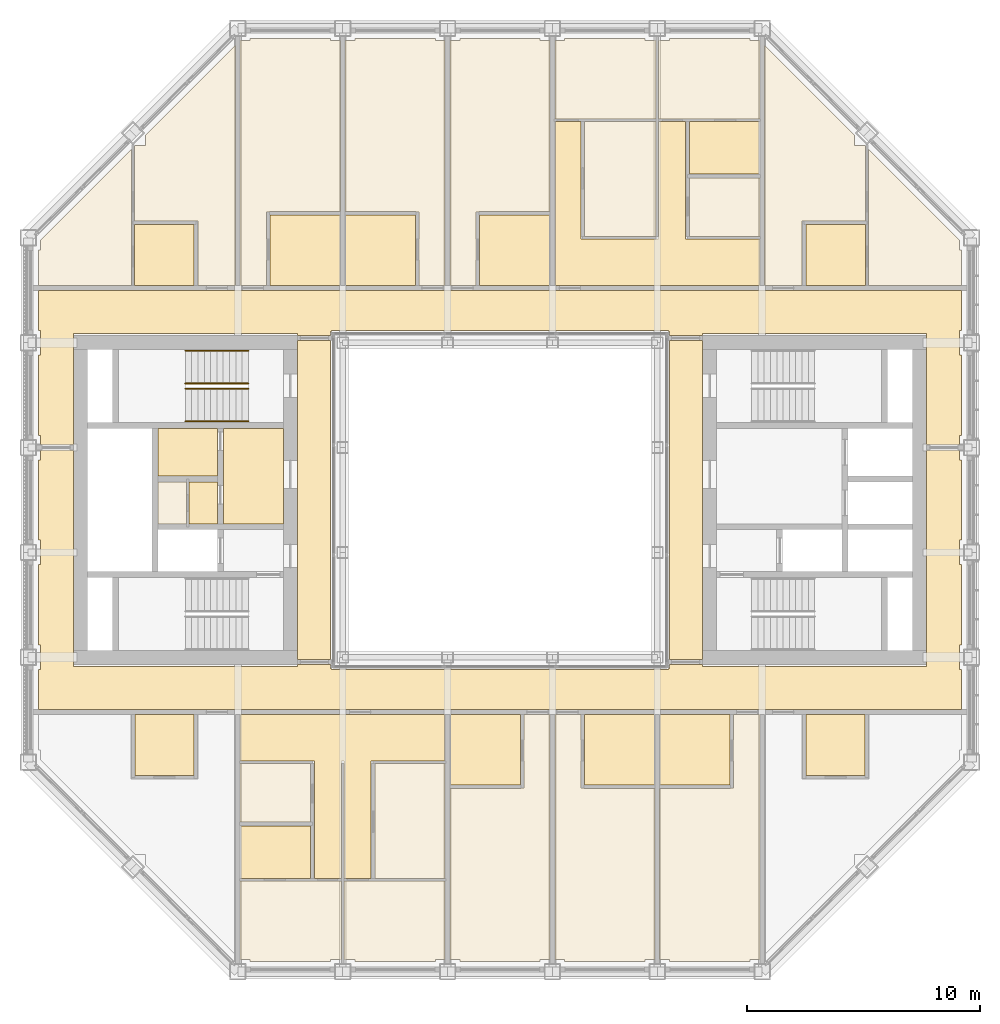
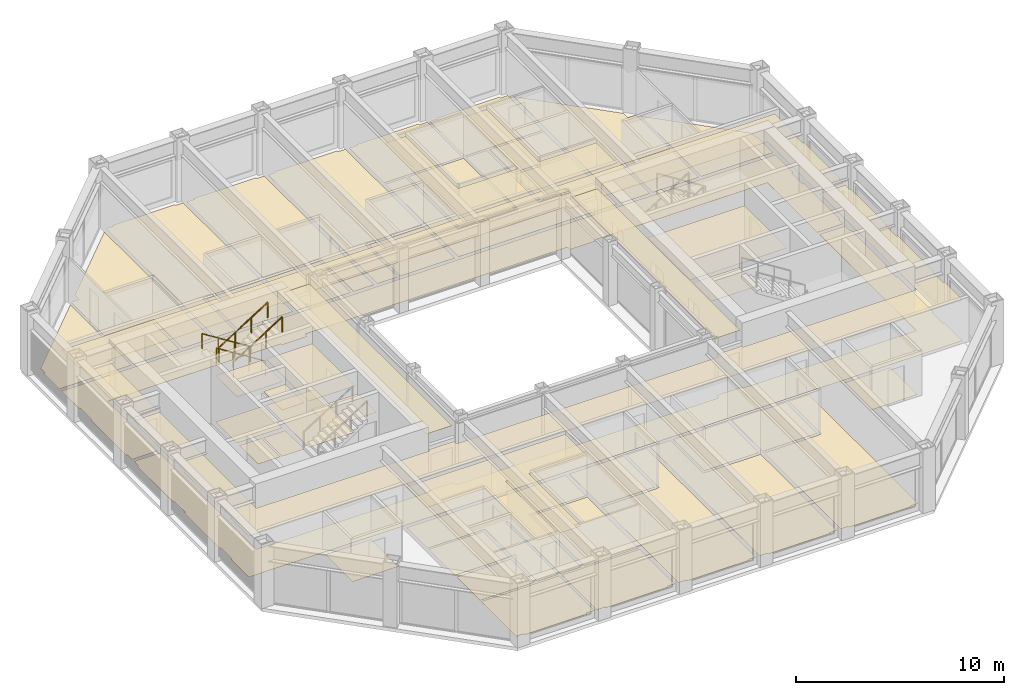
# One storey, part 16 of 18: 6 coverings, 4 railings.
"""IFC4 building model written with IfcOpenShell, lengths in metres."""

from ifc_helpers import new_model, si_unit, direction, frame, origin, origin_2d, place, context, subcontext, project, spatial, line, indexed_curve, circle, outline, extrude, material, layer, layer_set, type_object, element, save


model = new_model("IFC4")

# Units and contexts
model_context = context("Model", 3, precision=1e-05, world=origin(), true_north=direction((0.0, 1.0)))
body_context = subcontext(model_context, "Body", "Model", "MODEL_VIEW")
ifc_project = project(units=[si_unit("LENGTHUNIT", "METRE"), si_unit("AREAUNIT", "SQUARE_METRE"), si_unit("VOLUMEUNIT", "CUBIC_METRE"), si_unit("PLANEANGLEUNIT", "RADIAN"), si_unit("MASSUNIT", "GRAM", prefix="KILO")], contexts=[model_context])

# Site, building, storey
site_placement = place(None, origin())
site = spatial("IfcSite", under=ifc_project, at=site_placement, CompositionType="ELEMENT")
building_placement = place(site_placement, origin())
building = spatial("IfcBuilding", under=site, at=building_placement, Name="Msasa Ring Tower", CompositionType="ELEMENT")
storey_placement = place(building_placement, frame((0.0, 0.0, 230.800048828125)))
storey = spatial("IfcBuildingStorey", under=building, at=storey_placement, Name="L60", CompositionType="ELEMENT", Elevation=230.800048828125)

# Coverings
ifc_material_1 = material(Name="Gypsum plasterboard on a steel suspension grid", Category="steel")
ifc_layer_1 = layer(ifc_material_1, 0.014892578125)
ifc_layer_set_1 = layer_set([ifc_layer_1], Name="C1 SUSPENDED PLASTERBOARD CEILING 15")
covering_type_1 = type_object("IfcCoveringType", Name="C1 SUSPENDED PLASTERBOARD CEILING 15", PredefinedType="CEILING", material=ifc_layer_set_1)
covering_1_placement = place(storey_placement, frame((0.0, 0.0, 2.39990234375)))
element("IfcCovering", 1, at=covering_1_placement, inside=storey, type_object=covering_type_1, Name="Suspended Plasterboard Ceiling 15 circulation L60", PredefinedType="CEILING", context=body_context, shape_type="SweptSolid", body=[
    extrude(outline(indexed_curve([(8.699462890625, -7.150390625), (18.300537109375, -7.150390625), (18.300537109375, 2.1494140625), (19.724609375, 2.1494140625), (19.724609375, 1.724609375), (19.799560546875, 1.724609375), (19.799560546875, -1.724609375), (19.724609375, -1.724609375), (19.724609375, -2.775390625), (19.799560546875, -2.775390625), (19.799560546875, -6.224609375), (19.724609375, -6.224609375), (19.724609375, -7.275390625), (19.799560546875, -7.275390625), (19.799560546875, -8.99951171875), (-19.799560546875, -8.99951171875), (-19.799560546875, -7.275390625), (-19.724609375, -7.275390625), (-19.724609375, -6.224609375), (-19.799560546875, -6.224609375), (-19.799560546875, -2.775390625), (-19.724609375, -2.775390625), (-19.724609375, -1.724609375), (-19.799560546875, -1.724609375), (-19.799560546875, 1.724609375), (-19.724609375, 1.724609375), (-19.724609375, 2.1494140625), (-18.300537109375, 2.1494140625), (-18.300537109375, -7.150390625), (-8.699462890625, -7.150390625), (-8.699462890625, -7.050537109375), (-7.280029296875, -7.050537109375), (-7.280517578125, -7.23046875), (-7.22998046875, -7.23046875), (-7.22998046875, -7.280029296875), (7.22998046875, -7.280029296875), (7.22998046875, -7.23046875), (7.280517578125, -7.23046875), (7.280029296875, -7.050537109375), (8.699462890625, -7.050537109375)], segments=[line(1, 2, 3, 4, 5, 6, 7, 8, 9, 10, 11, 12, 13, 14, 15, 16, 17, 18, 19, 20, 21, 22, 23, 24, 25, 26, 27, 28, 29, 30, 31, 32, 33, 34, 35, 36, 37, 38, 39, 40, 1)], self_intersect=False)), origin(), (0.0, 0.0, 1.0), 0.01513671875),
    extrude(outline(indexed_curve([(19.799560546875, 7.275390625), (19.724609375, 7.275390625), (19.724609375, 6.224609375), (19.799560546875, 6.224609375), (19.799560546875, 2.775390625), (19.724609375, 2.775390625), (19.724609375, 2.3505859375), (18.300537109375, 2.3505859375), (18.300537109375, 7.150390625), (8.699462890625, 7.150390625), (8.699462890625, 7.050537109375), (7.280029296875, 7.050537109375), (7.280517578125, 7.23046875), (7.22998046875, 7.23046875), (7.22998046875, 7.280029296875), (-7.22998046875, 7.280029296875), (-7.22998046875, 7.23046875), (-7.280517578125, 7.23046875), (-7.280029296875, 7.050537109375), (-8.699462890625, 7.050537109375), (-8.699462890625, 7.150390625), (-18.300537109375, 7.150390625), (-18.300537109375, 2.3505859375), (-19.724609375, 2.3505859375), (-19.724609375, 2.775390625), (-19.799560546875, 2.775390625), (-19.799560546875, 6.224609375), (-19.724609375, 6.224609375), (-19.724609375, 7.275390625), (-19.799560546875, 7.275390625), (-19.799560546875, 8.99951171875), (19.799560546875, 8.99951171875)], segments=[line(1, 2, 3, 4, 5, 6, 7, 8, 9, 10, 11, 12, 13, 14, 15, 16, 17, 18, 19, 20, 21, 22, 23, 24, 25, 26, 27, 28, 29, 30, 31, 32, 1)], self_intersect=False)), origin(), (0.0, 0.0, 1.0), 0.01513671875),
    extrude(outline(indexed_curve([(-11.87451171875, -3.074462890625), (-11.87451171875, -1.275390625), (-9.300537109375, -1.275390625), (-9.300537109375, -3.074462890625)], segments=[line(1, 2, 3, 4, 1)], self_intersect=False)), origin(), (0.0, 0.0, 1.0), 0.01513671875),
    extrude(outline(indexed_curve([(-5.530517578125, -16.244384765625), (-6.689453125, -16.244384765625), (-6.689453125, -11.199462890625), (-6.810546875, -11.199462890625), (-6.810546875, -16.244384765625), (-7.969482421875, -16.244384765625), (-7.969482421875, -11.199462890625), (-11.1494140625, -11.199462890625), (-11.1494140625, -9.200439453125), (-2.3505859375, -9.200439453125), (-2.3505859375, -11.199462890625), (-5.530517578125, -11.199462890625)], segments=[line(1, 2, 3, 4, 5, 6, 7, 8, 9, 10, 11, 12, 1)], self_intersect=False)), origin(), (0.0, 0.0, 1.0), 0.01513671875),
    extrude(outline(indexed_curve([(3.469482421875, 16.244384765625), (3.469482421875, 11.199462890625), (6.810546875, 11.199462890625), (6.810546875, 16.244384765625), (7.969482421875, 16.244384765625), (7.969482421875, 11.199462890625), (11.1494140625, 11.199462890625), (11.1494140625, 9.200439453125), (2.3505859375, 9.200439453125), (2.3505859375, 16.244384765625)], segments=[line(1, 2, 3, 4, 5, 6, 7, 8, 9, 10, 1)], self_intersect=False)), origin(), (0.0, 0.0, 1.0), 0.01513671875),
    extrude(outline(indexed_curve([(9.300537109375, -3.074462890625), (9.300537109375, -1.275390625), (11.87451171875, -1.275390625), (11.87451171875, -3.074462890625)], segments=[line(1, 2, 3, 4, 1)], self_intersect=False)), origin(), (0.0, 0.0, 1.0), 0.01513671875),
    extrude(outline(indexed_curve([(9.300537109375, -1.0244140625), (9.300537109375, 3.074462890625), (14.674560546875, 3.074462890625), (14.674560546875, -1.0244140625)], segments=[line(1, 2, 3, 4, 1)], self_intersect=False)), origin(), (0.0, 0.0, 1.0), 0.01513671875),
])
covering_2_placement = place(storey_placement, frame((0.0, 0.0, 3.199951171875)))
element("IfcCovering", 2, at=covering_2_placement, inside=storey, type_object=covering_type_1, Name="Suspended Plasterboard Ceiling 15 public rooms L60", PredefinedType="CEILING", context=body_context, shape_type="SweptSolid", body=[
    extrude(outline(indexed_curve([(-7.280029296875, 6.849609375), (-7.280029296875, -6.849609375), (-8.699462890625, -6.849609375), (-8.699462890625, 6.849609375)], segments=[line(1, 2, 3, 4, 1)], self_intersect=False)), origin(), (0.0, 0.0, 1.0), 0.014892578125),
    extrude(outline(indexed_curve([(8.699462890625, 6.849609375), (8.699462890625, -6.849609375), (7.280029296875, -6.849609375), (7.280029296875, 6.849609375)], segments=[line(1, 2, 3, 4, 1)], self_intersect=False)), origin(), (0.0, 0.0, 1.0), 0.014892578125),
])
ifc_material_2 = material(Name="Mineral fibre ceiling tiles on an exposed steel grid", Category="steel")
ifc_layer_2 = layer(ifc_material_2, 0.02001953125)
ifc_layer_set_2 = layer_set([ifc_layer_2], Name="C3 ACOUSTIC MINERAL FIBRE TILE CEILING 20")
covering_type_2 = type_object("IfcCoveringType", Name="C3 ACOUSTIC MINERAL FIBRE TILE CEILING 20", PredefinedType="CEILING", material=ifc_layer_set_2)
covering_3_placement = place(storey_placement, frame((0.0, 0.0, 2.699951171875)))
element("IfcCovering", 3, at=covering_3_placement, inside=storey, type_object=covering_type_2, Name="Acoustic Mineral Fibre Tile Ceiling 20 L60", PredefinedType="CEILING", context=body_context, shape_type="SweptSolid", body=[
    extrude(outline(indexed_curve([(-12.12548828125, 1.025390625), (-14.674560546875, 1.025390625), (-14.674560546875, 3.074462890625), (-12.12548828125, 3.074462890625)], segments=[line(1, 2, 3, 4, 1)], self_intersect=False)), origin(), (0.0, 0.0, 1.0), 0.02001953125),
    extrude(outline(indexed_curve([(-12.12548828125, -1.0244140625), (-13.344482421875, -1.0244140625), (-13.344482421875, 0.7744140625), (-12.12548828125, 0.7744140625)], segments=[line(1, 2, 3, 4, 1)], self_intersect=False)), origin(), (0.0, 0.0, 1.0), 0.02001953125),
    extrude(outline(indexed_curve([(-9.300537109375, -1.0244140625), (-11.87451171875, -1.0244140625), (-11.87451171875, 3.074462890625), (-9.300537109375, 3.074462890625)], segments=[line(1, 2, 3, 4, 1)], self_intersect=False)), origin(), (0.0, 0.0, 1.0), 0.02001953125),
])
ifc_material_3 = material(Name="Wool-blend carpet on felt underlay", Category="textile")
ifc_layer_3 = layer(ifc_material_3, 0.011962890625)
ifc_layer_set_3 = layer_set([ifc_layer_3], Name="F2 CARPET ON UNDERLAY 12")
covering_type_3 = type_object("IfcCoveringType", Name="F2 CARPET ON UNDERLAY 12", PredefinedType="FLOORING", material=ifc_layer_set_3)
covering_4_placement = place(storey_placement, origin())
element("IfcCovering", 4, at=covering_4_placement, inside=storey, type_object=covering_type_3, Name="Carpet On Underlay 12 L60", PredefinedType="FLOORING", context=body_context, shape_type="SweptSolid", body=[
    extrude(outline(indexed_curve([(8.699462890625, -7.150390625), (18.300537109375, -7.150390625), (18.300537109375, 2.1494140625), (19.724609375, 2.1494140625), (19.724609375, 1.724609375), (19.799560546875, 1.724609375), (19.799560546875, -1.724609375), (19.724609375, -1.724609375), (19.724609375, -2.775390625), (19.799560546875, -2.775390625), (19.799560546875, -6.224609375), (19.724609375, -6.224609375), (19.724609375, -7.275390625), (19.799560546875, -7.275390625), (19.799560546875, -8.99951171875), (-19.799560546875, -8.99951171875), (-19.799560546875, -7.275390625), (-19.724609375, -7.275390625), (-19.724609375, -6.224609375), (-19.799560546875, -6.224609375), (-19.799560546875, -2.775390625), (-19.724609375, -2.775390625), (-19.724609375, -1.724609375), (-19.799560546875, -1.724609375), (-19.799560546875, 1.724609375), (-19.724609375, 1.724609375), (-19.724609375, 2.1494140625), (-18.300537109375, 2.1494140625), (-18.300537109375, -7.150390625), (-8.699462890625, -7.150390625), (-8.699462890625, -7.050537109375), (-7.280029296875, -7.050537109375), (-7.280517578125, -7.23046875), (-7.22998046875, -7.23046875), (-7.22998046875, -7.280029296875), (7.22998046875, -7.280029296875), (7.22998046875, -7.23046875), (7.280517578125, -7.23046875), (7.280029296875, -7.050537109375), (8.699462890625, -7.050537109375)], segments=[line(1, 2, 3, 4, 5, 6, 7, 8, 9, 10, 11, 12, 13, 14, 15, 16, 17, 18, 19, 20, 21, 22, 23, 24, 25, 26, 27, 28, 29, 30, 31, 32, 33, 34, 35, 36, 37, 38, 39, 40, 1)], self_intersect=False)), origin(), (0.0, 0.0, 1.0), 0.011962890625),
    extrude(outline(indexed_curve([(18.300537109375, 2.3505859375), (18.300537109375, 7.150390625), (8.699462890625, 7.150390625), (8.699462890625, 7.050537109375), (7.280029296875, 7.050537109375), (7.280517578125, 7.23046875), (7.22998046875, 7.23046875), (7.22998046875, 7.280029296875), (-7.22998046875, 7.280029296875), (-7.22998046875, 7.23046875), (-7.280517578125, 7.23046875), (-7.280029296875, 7.050537109375), (-8.699462890625, 7.050537109375), (-8.699462890625, 7.150390625), (-18.300537109375, 7.150390625), (-18.300537109375, 2.3505859375), (-19.724609375, 2.3505859375), (-19.724609375, 2.775390625), (-19.799560546875, 2.775390625), (-19.799560546875, 6.224609375), (-19.724609375, 6.224609375), (-19.724609375, 7.275390625), (-19.799560546875, 7.275390625), (-19.799560546875, 8.99951171875), (19.799560546875, 8.99951171875), (19.799560546875, 7.275390625), (19.724609375, 7.275390625), (19.724609375, 6.224609375), (19.799560546875, 6.224609375), (19.799560546875, 2.775390625), (19.724609375, 2.775390625), (19.724609375, 2.3505859375)], segments=[line(1, 2, 3, 4, 5, 6, 7, 8, 9, 10, 11, 12, 13, 14, 15, 16, 17, 18, 19, 20, 21, 22, 23, 24, 25, 26, 27, 28, 29, 30, 31, 32, 1)], self_intersect=False)), origin(), (0.0, 0.0, 1.0), 0.011962890625),
    extrude(outline(indexed_curve([(-19.799560546875, 10.724609375), (-19.724609375, 10.724609375), (-19.724609375, 11.138427734375), (-15.810546875, 15.052490234375), (-15.810546875, 9.200439453125), (-19.799560546875, 9.200439453125)], segments=[line(1, 2, 3, 4, 5, 6, 1)], self_intersect=False)), origin(), (0.0, 0.0, 1.0), 0.011962890625),
    extrude(outline(indexed_curve([(-12.969482421875, 9.200439453125), (-12.969482421875, 11.98046875), (-15.689453125, 11.98046875), (-15.689453125, 15.17333984375), (-15.638427734375, 15.224609375), (-15.224609375, 15.224609375), (-15.224609375, 15.638427734375), (-11.3505859375, 19.512451171875), (-11.3505859375, 9.200439453125)], segments=[line(1, 2, 3, 4, 5, 6, 7, 8, 9, 1)], self_intersect=False)), origin(), (0.0, 0.0, 1.0), 0.011962890625),
    extrude(outline(indexed_curve([(-13.45556640625, -1.0244140625), (-14.674560546875, -1.0244140625), (-14.674560546875, 0.7744140625), (-13.45556640625, 0.7744140625)], segments=[line(1, 2, 3, 4, 1)], self_intersect=False)), origin(), (0.0, 0.0, 1.0), 0.011962890625),
    extrude(outline(indexed_curve([(-6.810546875, -16.35546875), (-6.810546875, -19.724609375), (-7.275390625, -19.724609375), (-7.275390625, -19.799560546875), (-10.724609375, -19.799560546875), (-10.724609375, -19.724609375), (-11.138427734375, -19.724609375), (-11.1494140625, -19.71337890625), (-11.1494140625, -16.35546875)], segments=[line(1, 2, 3, 4, 5, 6, 7, 8, 9, 1)], self_intersect=False)), origin(), (0.0, 0.0, 1.0), 0.011962890625),
    extrude(outline(indexed_curve([(-6.810546875, -16.244384765625), (-7.969482421875, -16.244384765625), (-7.969482421875, -11.199462890625), (-11.1494140625, -11.199462890625), (-11.1494140625, -9.200439453125), (-2.3505859375, -9.200439453125), (-2.3505859375, -11.199462890625), (-5.530517578125, -11.199462890625), (-5.530517578125, -16.244384765625), (-6.689453125, -16.244384765625), (-6.689453125, -11.199462890625), (-6.810546875, -11.199462890625)], segments=[line(1, 2, 3, 4, 5, 6, 7, 8, 9, 10, 11, 12, 1)], self_intersect=False)), origin(), (0.0, 0.0, 1.0), 0.011962890625),
    extrude(outline(indexed_curve([(-8.130615234375, -13.819580078125), (-11.1494140625, -13.819580078125), (-11.1494140625, -11.305419921875), (-8.130615234375, -11.305419921875)], segments=[line(1, 2, 3, 4, 1)], self_intersect=False)), origin(), (0.0, 0.0, 1.0), 0.011962890625),
    extrude(outline(indexed_curve([(-11.1494140625, 19.71337890625), (-11.138427734375, 19.724609375), (-10.724609375, 19.724609375), (-10.724609375, 19.799560546875), (-7.275390625, 19.799560546875), (-7.275390625, 19.724609375), (-6.8505859375, 19.724609375), (-6.8505859375, 12.37548828125), (-9.89990234375, 12.37548828125), (-9.89990234375, 12.3505859375), (-10.025390625, 12.35009765625), (-10.025390625, 9.200439453125), (-11.1494140625, 9.200439453125)], segments=[line(1, 2, 3, 4, 5, 6, 7, 8, 9, 10, 11, 12, 13, 1)], self_intersect=False)), origin(), (0.0, 0.0, 1.0), 0.011962890625),
    extrude(outline(indexed_curve([(-6.224609375, -19.799560546875), (-6.224609375, -19.724609375), (-6.689453125, -19.724609375), (-6.689453125, -16.35546875), (-2.3505859375, -16.35546875), (-2.3505859375, -19.724609375), (-2.775390625, -19.724609375), (-2.775390625, -19.799560546875)], segments=[line(1, 2, 3, 4, 5, 6, 7, 8, 1)], self_intersect=False)), origin(), (0.0, 0.0, 1.0), 0.011962890625),
    extrude(outline(indexed_curve([(-2.3505859375, 9.200439453125), (-3.474609375, 9.200439453125), (-3.474609375, 12.35009765625), (-3.60009765625, 12.3505859375), (-3.60009765625, 12.37548828125), (-6.6494140625, 12.37548828125), (-6.6494140625, 19.724609375), (-6.224609375, 19.724609375), (-6.224609375, 19.799560546875), (-2.775390625, 19.799560546875), (-2.775390625, 19.724609375), (-2.3505859375, 19.724609375)], segments=[line(1, 2, 3, 4, 5, 6, 7, 8, 9, 10, 11, 12, 1)], self_intersect=False)), origin(), (0.0, 0.0, 1.0), 0.011962890625),
    extrude(outline(indexed_curve([(2.1494140625, -19.724609375), (1.724609375, -19.724609375), (1.724609375, -19.799560546875), (-1.724609375, -19.799560546875), (-1.724609375, -19.724609375), (-2.1494140625, -19.724609375), (-2.1494140625, -12.37548828125), (0.89990234375, -12.37548828125), (0.89990234375, -12.3505859375), (1.025390625, -12.35009765625), (1.025390625, -9.200439453125), (2.1494140625, -9.200439453125)], segments=[line(1, 2, 3, 4, 5, 6, 7, 8, 9, 10, 11, 12, 1)], self_intersect=False)), origin(), (0.0, 0.0, 1.0), 0.011962890625),
    extrude(outline(indexed_curve([(-2.1494140625, 19.724609375), (-1.724609375, 19.724609375), (-1.724609375, 19.799560546875), (1.724609375, 19.799560546875), (1.724609375, 19.724609375), (2.1494140625, 19.724609375), (2.1494140625, 12.37548828125), (-0.89990234375, 12.37548828125), (-0.89990234375, 12.3505859375), (-1.025390625, 12.35009765625), (-1.025390625, 9.200439453125), (-2.1494140625, 9.200439453125)], segments=[line(1, 2, 3, 4, 5, 6, 7, 8, 9, 10, 11, 12, 1)], self_intersect=False)), origin(), (0.0, 0.0, 1.0), 0.011962890625),
    extrude(outline(indexed_curve([(6.810546875, 16.244384765625), (7.969482421875, 16.244384765625), (7.969482421875, 11.199462890625), (11.1494140625, 11.199462890625), (11.1494140625, 9.200439453125), (2.3505859375, 9.200439453125), (2.3505859375, 16.244384765625), (3.469482421875, 16.244384765625), (3.469482421875, 11.199462890625), (6.810546875, 11.199462890625)], segments=[line(1, 2, 3, 4, 5, 6, 7, 8, 9, 10, 1)], self_intersect=False)), origin(), (0.0, 0.0, 1.0), 0.011962890625),
    extrude(outline(indexed_curve([(6.224609375, 19.799560546875), (6.224609375, 19.724609375), (6.689453125, 19.724609375), (6.689453125, 16.35546875), (2.3505859375, 16.35546875), (2.3505859375, 19.724609375), (2.775390625, 19.724609375), (2.775390625, 19.799560546875)], segments=[line(1, 2, 3, 4, 5, 6, 7, 8, 1)], self_intersect=False)), origin(), (0.0, 0.0, 1.0), 0.011962890625),
    extrude(outline(indexed_curve([(2.3505859375, -9.200439453125), (3.474609375, -9.200439453125), (3.474609375, -12.35009765625), (3.60009765625, -12.3505859375), (3.60009765625, -12.37548828125), (6.6494140625, -12.37548828125), (6.6494140625, -19.724609375), (6.224609375, -19.724609375), (6.224609375, -19.799560546875), (2.775390625, -19.799560546875), (2.775390625, -19.724609375), (2.3505859375, -19.724609375)], segments=[line(1, 2, 3, 4, 5, 6, 7, 8, 9, 10, 11, 12, 1)], self_intersect=False)), origin(), (0.0, 0.0, 1.0), 0.011962890625),
    extrude(outline(indexed_curve([(6.810546875, 19.724609375), (7.275390625, 19.724609375), (7.275390625, 19.799560546875), (10.724609375, 19.799560546875), (10.724609375, 19.724609375), (11.138427734375, 19.724609375), (11.1494140625, 19.71337890625), (11.1494140625, 16.35546875), (6.810546875, 16.35546875)], segments=[line(1, 2, 3, 4, 5, 6, 7, 8, 9, 1)], self_intersect=False)), origin(), (0.0, 0.0, 1.0), 0.011962890625),
    extrude(outline(indexed_curve([(11.1494140625, -9.200439453125), (11.1494140625, -19.71337890625), (11.138427734375, -19.724609375), (10.724609375, -19.724609375), (10.724609375, -19.799560546875), (7.275390625, -19.799560546875), (7.275390625, -19.724609375), (6.8505859375, -19.724609375), (6.8505859375, -12.37548828125), (9.89990234375, -12.37548828125), (9.89990234375, -12.3505859375), (10.025390625, -12.35009765625), (10.025390625, -9.200439453125)], segments=[line(1, 2, 3, 4, 5, 6, 7, 8, 9, 10, 11, 12, 13, 1)], self_intersect=False)), origin(), (0.0, 0.0, 1.0), 0.011962890625),
    extrude(outline(indexed_curve([(11.1494140625, 13.819580078125), (11.1494140625, 11.305419921875), (8.130615234375, 11.305419921875), (8.130615234375, 13.819580078125)], segments=[line(1, 2, 3, 4, 1)], self_intersect=False)), origin(), (0.0, 0.0, 1.0), 0.011962890625),
    extrude(outline(indexed_curve([(15.224609375, 15.638427734375), (15.224609375, 15.224609375), (15.638427734375, 15.224609375), (15.689453125, 15.17333984375), (15.689453125, 11.98046875), (12.969482421875, 11.98046875), (12.969482421875, 9.200439453125), (11.3505859375, 9.200439453125), (11.3505859375, 19.512451171875)], segments=[line(1, 2, 3, 4, 5, 6, 7, 8, 9, 1)], self_intersect=False)), origin(), (0.0, 0.0, 1.0), 0.011962890625),
    extrude(outline(indexed_curve([(19.799560546875, 9.200439453125), (15.810546875, 9.200439453125), (15.810546875, 15.052490234375), (19.724609375, 11.138427734375), (19.724609375, 10.724609375), (19.799560546875, 10.724609375)], segments=[line(1, 2, 3, 4, 5, 6, 1)], self_intersect=False)), origin(), (0.0, 0.0, 1.0), 0.011962890625),
])
ifc_material_4 = material(Name="Porcelain floor tiles in adhesive", Category="ceramic")
ifc_layer_4 = layer(ifc_material_4, 0.010009765625)
ifc_layer_set_4 = layer_set([ifc_layer_4], Name="F4 PORCELAIN TILE ON ADHESIVE 10")
covering_type_4 = type_object("IfcCoveringType", Name="F4 PORCELAIN TILE ON ADHESIVE 10", PredefinedType="FLOORING", material=ifc_layer_set_4)
covering_5_placement = place(storey_placement, origin())
element("IfcCovering", 5, at=covering_5_placement, inside=storey, type_object=covering_type_4, Name="Porcelain Tile On Adhesive 10 L60", PredefinedType="FLOORING", context=body_context, shape_type="SweptSolid", body=[
    extrude(outline(indexed_curve([(-15.689453125, 11.819580078125), (-13.130615234375, 11.819580078125), (-13.130615234375, 9.200439453125), (-15.689453125, 9.200439453125)], segments=[line(1, 2, 3, 4, 1)], self_intersect=False)), origin(), (0.0, 0.0, 1.0), 0.010009765625),
    extrude(outline(indexed_curve([(-13.130615234375, -9.200439453125), (-13.130615234375, -11.819580078125), (-15.66943359375, -11.819580078125), (-15.66943359375, -9.200439453125)], segments=[line(1, 2, 3, 4, 1)], self_intersect=False)), origin(), (0.0, 0.0, 1.0), 0.010009765625),
    extrude(outline(indexed_curve([(-8.130615234375, -13.98046875), (-8.130615234375, -16.244384765625), (-11.1494140625, -16.244384765625), (-11.1494140625, -13.98046875)], segments=[line(1, 2, 3, 4, 1)], self_intersect=False)), origin(), (0.0, 0.0, 1.0), 0.010009765625),
    extrude(outline(indexed_curve([(-9.87451171875, 9.200439453125), (-9.87451171875, 12.224609375), (-6.8505859375, 12.224609375), (-6.8505859375, 9.200439453125)], segments=[line(1, 2, 3, 4, 1)], self_intersect=False)), origin(), (0.0, 0.0, 1.0), 0.010009765625),
    extrude(outline(indexed_curve([(-6.6494140625, 9.200439453125), (-6.6494140625, 12.224609375), (-3.62548828125, 12.224609375), (-3.62548828125, 9.200439453125)], segments=[line(1, 2, 3, 4, 1)], self_intersect=False)), origin(), (0.0, 0.0, 1.0), 0.010009765625),
    extrude(outline(indexed_curve([(0.87451171875, -9.200439453125), (0.87451171875, -12.224609375), (-2.1494140625, -12.224609375), (-2.1494140625, -9.200439453125)], segments=[line(1, 2, 3, 4, 1)], self_intersect=False)), origin(), (0.0, 0.0, 1.0), 0.010009765625),
    extrude(outline(indexed_curve([(2.1494140625, 9.200439453125), (-0.87451171875, 9.200439453125), (-0.87451171875, 12.224609375), (2.1494140625, 12.224609375)], segments=[line(1, 2, 3, 4, 1)], self_intersect=False)), origin(), (0.0, 0.0, 1.0), 0.010009765625),
    extrude(outline(indexed_curve([(6.6494140625, -9.200439453125), (6.6494140625, -12.224609375), (3.62548828125, -12.224609375), (3.62548828125, -9.200439453125)], segments=[line(1, 2, 3, 4, 1)], self_intersect=False)), origin(), (0.0, 0.0, 1.0), 0.010009765625),
    extrude(outline(indexed_curve([(9.87451171875, -9.200439453125), (9.87451171875, -12.224609375), (6.8505859375, -12.224609375), (6.8505859375, -9.200439453125)], segments=[line(1, 2, 3, 4, 1)], self_intersect=False)), origin(), (0.0, 0.0, 1.0), 0.010009765625),
    extrude(outline(indexed_curve([(11.1494140625, 16.244384765625), (11.1494140625, 13.98046875), (8.130615234375, 13.98046875), (8.130615234375, 16.244384765625)], segments=[line(1, 2, 3, 4, 1)], self_intersect=False)), origin(), (0.0, 0.0, 1.0), 0.010009765625),
    extrude(outline(indexed_curve([(15.66943359375, -9.200439453125), (15.66943359375, -11.819580078125), (13.130615234375, -11.819580078125), (13.130615234375, -9.200439453125)], segments=[line(1, 2, 3, 4, 1)], self_intersect=False)), origin(), (0.0, 0.0, 1.0), 0.010009765625),
    extrude(outline(indexed_curve([(13.130615234375, 11.819580078125), (15.689453125, 11.819580078125), (15.689453125, 9.200439453125), (13.130615234375, 9.200439453125)], segments=[line(1, 2, 3, 4, 1)], self_intersect=False)), origin(), (0.0, 0.0, 1.0), 0.010009765625),
])
ifc_material_5 = material(Name="Welded vinyl safety sheet flooring", Category="vinyl")
ifc_layer_5 = layer(ifc_material_5, 0.0029296875)
ifc_layer_set_5 = layer_set([ifc_layer_5], Name="F5 RESILIENT SHEET FLOORING 3")
covering_type_5 = type_object("IfcCoveringType", Name="F5 RESILIENT SHEET FLOORING 3", PredefinedType="FLOORING", material=ifc_layer_set_5)
covering_6_placement = place(storey_placement, origin())
element("IfcCovering", 6, at=covering_6_placement, inside=storey, type_object=covering_type_5, Name="Resilient Sheet Flooring 3 L60", PredefinedType="FLOORING", context=body_context, shape_type="SweptSolid", body=[
    extrude(outline(indexed_curve([(-14.674560546875, 3.074462890625), (-12.12548828125, 3.074462890625), (-12.12548828125, 1.025390625), (-14.674560546875, 1.025390625)], segments=[line(1, 2, 3, 4, 1)], self_intersect=False)), origin(), (0.0, 0.0, 1.0), 0.0029296875),
    extrude(outline(indexed_curve([(-13.344482421875, -1.0244140625), (-13.344482421875, 0.7744140625), (-12.12548828125, 0.7744140625), (-12.12548828125, -1.0244140625)], segments=[line(1, 2, 3, 4, 1)], self_intersect=False)), origin(), (0.0, 0.0, 1.0), 0.0029296875),
    extrude(outline(indexed_curve([(-11.87451171875, -1.0244140625), (-11.87451171875, 3.074462890625), (-9.300537109375, 3.074462890625), (-9.300537109375, -1.0244140625)], segments=[line(1, 2, 3, 4, 1)], self_intersect=False)), origin(), (0.0, 0.0, 1.0), 0.0029296875),
    extrude(outline(indexed_curve([(-5.369384765625, -16.244384765625), (-5.369384765625, -11.305419921875), (-2.3505859375, -11.305419921875), (-2.3505859375, -16.244384765625)], segments=[line(1, 2, 3, 4, 1)], self_intersect=False)), origin(), (0.0, 0.0, 1.0), 0.0029296875),
    extrude(outline(indexed_curve([(3.630615234375, 16.244384765625), (6.689453125, 16.244384765625), (6.689453125, 11.305419921875), (3.630615234375, 11.305419921875)], segments=[line(1, 2, 3, 4, 1)], self_intersect=False)), origin(), (0.0, 0.0, 1.0), 0.0029296875),
])

# Railings
ifc_material_6 = material(Name="Stainless steel", Category="steel")
railing_type = type_object("IfcRailingType", Name="HR1 HANDRAIL 900", PredefinedType="HANDRAIL", material=ifc_material_6)
for number, where, name in (
    (7, (-10.800048828125, 5.0, 0.17041015625), "Handrail stair SWB L60 1"),
    (8, (-10.800048828125, 6.39990234375, 0.17041015625), "Handrail stair SWB L60 2"),
):
    element("IfcRailing", number, at=place(storey_placement, frame(where)), inside=storey, type_object=railing_type, Name=name, PredefinedType="HANDRAIL", context=body_context, shape_type="SweptSolid", body=[
        extrude(circle(Radius=0.02392578125, at=origin_2d()), frame((0.0, 0.0, 0.8759765625), z_axis=(-0.845579735284, 0.0, 0.533849146555), x_axis=(0.0, -1.0, 0.0)), (0.0, 0.0, 1.0), 3.193115234375),
        extrude(circle(Radius=0.02099609375, at=origin_2d()), origin(), (0.0, 0.0, 1.0), 0.851806640625),
        extrude(circle(Radius=0.02099609375, at=origin_2d()), frame((-0.89990234375, 0.0, 0.568115234375)), (0.0, 0.0, 1.0), 0.851806640625),
        extrude(circle(Radius=0.02099609375, at=origin_2d()), frame((-1.800048828125, 0.0, 1.136474609375)), (0.0, 0.0, 1.0), 0.851806640625),
        extrude(circle(Radius=0.02099609375, at=origin_2d()), frame((-2.699951171875, 0.0, 1.70458984375)), (0.0, 0.0, 1.0), 0.851806640625),
    ])
for number, where, name in (
    (9, (-13.5, 3.375, 2.04541015625), "Handrail stair SWB L60 3"),
    (10, (-13.5, 4.77490234375, 2.04541015625), "Handrail stair SWB L60 4"),
):
    element("IfcRailing", number, at=place(storey_placement, frame(where)), inside=storey, type_object=railing_type, Name=name, PredefinedType="HANDRAIL", context=body_context, shape_type="SweptSolid", body=[
        extrude(circle(Radius=0.02392578125, at=origin_2d()), frame((0.0, 0.0, 0.8759765625), z_axis=(0.845579735284, 0.0, 0.533849146555), x_axis=(0.0, 1.0, 0.0)), (0.0, 0.0, 1.0), 3.193115234375),
        extrude(circle(Radius=0.02099609375, at=origin_2d()), origin(), (0.0, 0.0, 1.0), 0.851806640625),
        extrude(circle(Radius=0.02099609375, at=origin_2d()), frame((0.89990234375, 0.0, 0.568115234375)), (0.0, 0.0, 1.0), 0.851806640625),
        extrude(circle(Radius=0.02099609375, at=origin_2d()), frame((1.800048828125, 0.0, 1.136474609375)), (0.0, 0.0, 1.0), 0.851806640625),
        extrude(circle(Radius=0.02099609375, at=origin_2d()), frame((2.699951171875, 0.0, 1.70458984375)), (0.0, 0.0, 1.0), 0.851806640625),
    ])

save(model, "model.ifc")
